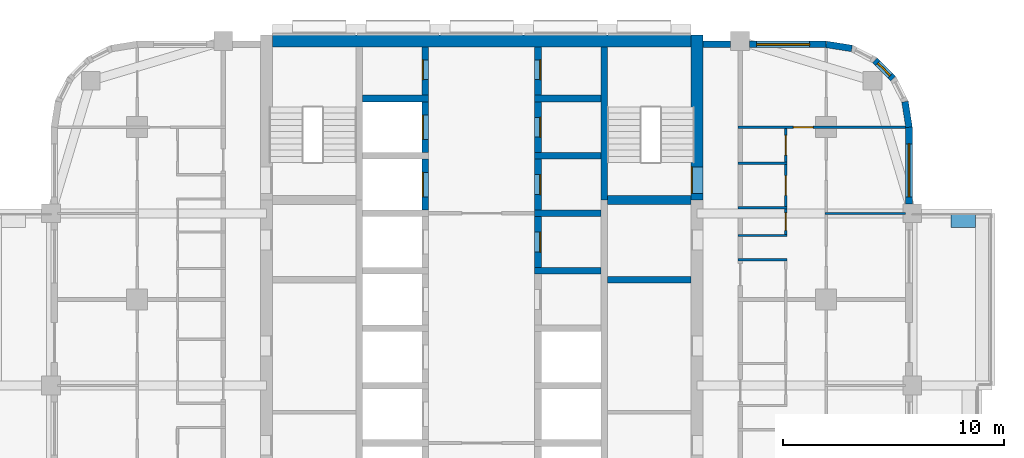
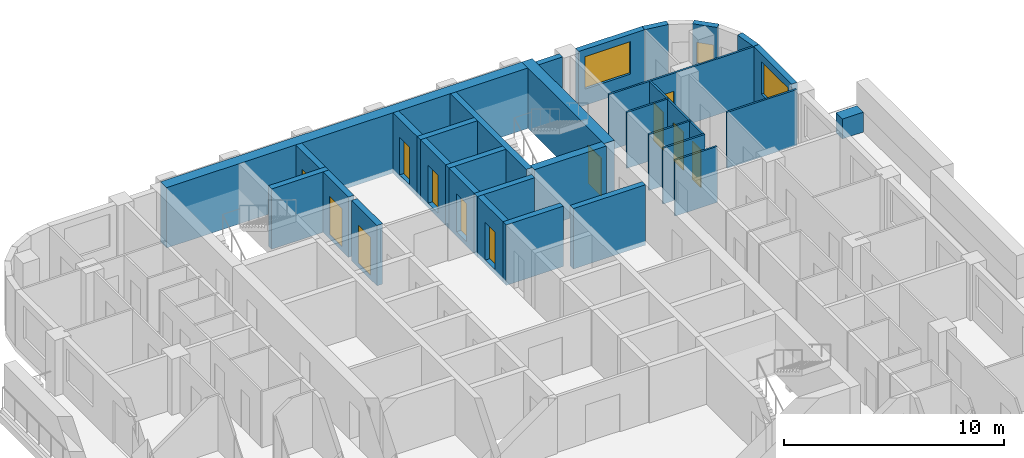
# One storey, part 9 of 14: 31 walls, 12 doors, 3 windows, 15 openings.
"""IFC4 building model written with IfcOpenShell, lengths in metres."""

import ifcopenshell
import ifcopenshell.guid

model = None  # the IFC model being written
_history = None  # IfcOwnerHistory: only IFC2X3 demands one
_inside = {}  # id of a spatial element -> (the spatial element, [elements in it])
_under = {}  # id of a project, library or spatial element -> (it, [spatial elements below it])
_declared = {}  # id of a project -> (the project, [libraries it declares])
_typed = {}  # id of a type object -> (the type object, [elements of that type])
_made_of = {}  # id of a material, layer set ... -> (it, [elements and type objects made of it])


def new_model(schema):
    """Start an empty IFC model of exactly this schema.

    Asked for "IFC4X3", IfcOpenShell would pick the latest addendum, in which some entities
    have other attributes; the version numbers below select the first issue.
    IFC2X3 requires an IfcOwnerHistory on every rooted entity: one is made here for all.
    """
    global model, _history
    if schema == "IFC4X3":
        model = ifcopenshell.file(schema_version=(4, 3, 0, 0))
    else:
        model = ifcopenshell.file(schema=schema)
    _inside.clear()
    _under.clear()
    _declared.clear()
    _typed.clear()
    _made_of.clear()
    _history = None
    if model.schema == "IFC2X3":
        org = make("IfcOrganization", Name="unknown")
        user = make(
            "IfcPersonAndOrganization",
            ThePerson=make("IfcPerson", FamilyName="unknown"),
            TheOrganization=org,
        )
        app = make(
            "IfcApplication",
            ApplicationDeveloper=org,
            Version="unknown",
            ApplicationFullName="unknown",
            ApplicationIdentifier="unknown",
        )
        _history = make(
            "IfcOwnerHistory",
            OwningUser=user,
            OwningApplication=app,
            ChangeAction="ADDED",
            CreationDate=0,
        )
    return model


def make(cls, **values):
    """One entity of the class cls with the attributes given. An attribute that is None is left unset."""
    return model.create_entity(
        cls, **{name: value for name, value in values.items() if value is not None}
    )


def rooted(cls, **values):
    """An entity with a GlobalId (a new one), such as an element, a storey or a relation."""
    return make(cls, GlobalId=ifcopenshell.guid.new(), OwnerHistory=_history, **values)


def si_unit(unit_type, name, prefix=None):
    """IfcSIUnit, for example si_unit("LENGTHUNIT", "METRE", prefix="MILLI")."""
    return make("IfcSIUnit", UnitType=unit_type, Prefix=prefix, Name=name)


def assignment(units):
    """IfcUnitAssignment: the units of a project."""
    return None if units is None else make("IfcUnitAssignment", Units=units)


def point(xyz):
    """IfcCartesianPoint."""
    return None if xyz is None else make("IfcCartesianPoint", Coordinates=xyz)


def direction(xyz):
    """IfcDirection."""
    return None if xyz is None else make("IfcDirection", DirectionRatios=xyz)


def frame(location, z_axis=None, x_axis=None):
    """IfcAxis2Placement3D, a coordinate frame: its origin and axes. An axis left out is left unset."""
    return make(
        "IfcAxis2Placement3D",
        Location=point(location),
        Axis=direction(z_axis),
        RefDirection=direction(x_axis),
    )


def frame_2d(location, x_axis=None):
    """IfcAxis2Placement2D, a coordinate frame in the plane: its origin and x axis."""
    return make(
        "IfcAxis2Placement2D", Location=point(location), RefDirection=direction(x_axis)
    )


def origin():
    """The frame at (0, 0, 0) with its axes left unset."""
    return frame((0.0, 0.0, 0.0))


def place(relative_to, where):
    """IfcLocalPlacement: puts the frame where relative to a parent placement (None: the world)."""
    return make(
        "IfcLocalPlacement", PlacementRelTo=relative_to, RelativePlacement=where
    )


def context(
    kind, dimensions, precision=None, world=None, true_north=None, identifier=None
):
    """IfcGeometricRepresentationContext, for example the 3D "Model" context."""
    return make(
        "IfcGeometricRepresentationContext",
        ContextIdentifier=identifier,
        ContextType=kind,
        CoordinateSpaceDimension=dimensions,
        Precision=precision,
        WorldCoordinateSystem=world,
        TrueNorth=true_north,
    )


def subcontext(parent, identifier, kind, view, scale=None):
    """IfcGeometricRepresentationSubContext, for example "Body" below "Model"."""
    return make(
        "IfcGeometricRepresentationSubContext",
        ContextIdentifier=identifier,
        ContextType=kind,
        ParentContext=parent,
        TargetScale=scale,
        TargetView=view,
    )


def project(units=None, contexts=None):
    """IfcProject with its units and contexts."""
    return rooted(
        "IfcProject",
        Name="project",
        RepresentationContexts=contexts,
        UnitsInContext=assignment(units),
    )


def spatial(cls, under=None, at=None, **own):
    """A site, building, storey or space (cls), placed at a placement, below another one or the project."""
    s = rooted(cls, ObjectPlacement=at, **own)
    if under is not None:
        _under.setdefault(under.id(), (under, []))[1].append(s)
    return s


def profile(cls, at=None, kind="AREA", **sizes):
    """A parametric profile (cls). Its sizes go by their IFC names, for example OverallWidth=200.0."""
    return make(cls, ProfileType=kind, Position=at, **sizes)


def rectangle(**sizes):
    """IfcRectangleProfileDef."""
    return profile("IfcRectangleProfileDef", **sizes)


def extrude(swept, where, along, depth):
    """IfcExtrudedAreaSolid: the profile swept, set in the frame where, extruded along a direction by depth."""
    return make(
        "IfcExtrudedAreaSolid",
        SweptArea=swept,
        Position=where,
        ExtrudedDirection=direction(along),
        Depth=depth,
    )


def shape(context_of_items, identifier, shape_type, items):
    """IfcShapeRepresentation: the items that make up one representation, for example the "Body"."""
    return make(
        "IfcShapeRepresentation",
        ContextOfItems=context_of_items,
        RepresentationIdentifier=identifier,
        RepresentationType=shape_type,
        Items=items,
    )


def material(Name=None, Category=None):
    """IfcMaterial."""
    return make("IfcMaterial", Name=Name, Category=Category)


def layer(
    of_material, thickness, ventilated=None, Name=None, Category=None, Priority=None
):
    """IfcMaterialLayer: one layer of a wall or slab, of a material (None: an air gap)."""
    return make(
        "IfcMaterialLayer",
        Material=of_material,
        LayerThickness=thickness,
        IsVentilated=ventilated,
        Name=Name,
        Category=Category,
        Priority=Priority,
    )


def layer_set(layers, Name=None):
    """IfcMaterialLayerSet."""
    return make("IfcMaterialLayerSet", MaterialLayers=layers, LayerSetName=Name)


def made_of(thing, what):
    """Note that an element or type object is made of a material, layer set ...; save() writes the relation."""
    if what is not None:
        _made_of.setdefault(what.id(), (what, []))[1].append(thing)
    return thing


def type_object(cls, material=None, **own):
    """A type object (cls), such as IfcWallType, which elements share."""
    return made_of(rooted(cls, **own), material)


def element(
    cls,
    number,
    at=None,
    inside=None,
    cuts=None,
    type_object=None,
    material=None,
    context=None,
    identifier="Body",
    shape_type=None,
    held_by="IfcProductDefinitionShape",
    body=None,
    shapes=None,
    **own,
):
    """One element of the class cls, such as IfcWall. Its Tag is "e" and its number.

    at: its placement. inside: the storey or other place that contains it. cuts: it is an
    opening in that element (IfcRelVoidsElement). A single representation is given by context,
    identifier, shape_type and body (its items); several are given by shapes. held_by: the class
    of the entity that holds the representations. save() writes the other relations.
    """
    e = rooted(cls, Tag="e%d" % number, ObjectPlacement=at, **own)
    if body is not None:
        shapes = [shape(context, identifier, shape_type, body)]
    if shapes is not None:
        e.Representation = make(held_by, Representations=shapes)
    if inside is not None:
        _inside.setdefault(inside.id(), (inside, []))[1].append(e)
    if cuts is not None:
        rooted(
            "IfcRelVoidsElement", RelatingBuildingElement=cuts, RelatedOpeningElement=e
        )
    if type_object is not None:
        _typed.setdefault(type_object.id(), (type_object, []))[1].append(e)
    return made_of(e, material)


def fill(opening, filler):
    """IfcRelFillsElement: the door or window that sits in an opening."""
    return rooted(
        "IfcRelFillsElement",
        RelatingOpeningElement=opening,
        RelatedBuildingElement=filler,
    )


def aggregate(whole, parts):
    """IfcRelAggregates: a whole, such as a stair, and the parts it consists of."""
    return rooted("IfcRelAggregates", RelatingObject=whole, RelatedObjects=parts)


def save(model, path):
    """Write the relations noted so far, then the file.

    IfcRelAggregates (storeys below a building ...), IfcRelContainedInSpatialStructure (elements
    in a storey), IfcRelDefinesByType, IfcRelAssociatesMaterial and IfcRelDeclares: one each for
    every whole, place, type object, material and project.
    """
    for whole, parts in _under.values():
        aggregate(whole, parts)
    for where, things in _inside.values():
        rooted(
            "IfcRelContainedInSpatialStructure",
            RelatedElements=things,
            RelatingStructure=where,
        )
    for kind, things in _typed.values():
        rooted("IfcRelDefinesByType", RelatedObjects=things, RelatingType=kind)
    for what, things in _made_of.values():
        rooted("IfcRelAssociatesMaterial", RelatedObjects=things, RelatingMaterial=what)
    for by, libraries in _declared.values():
        rooted("IfcRelDeclares", RelatingContext=by, RelatedDefinitions=libraries)
    model.write(path)


model = new_model("IFC4")

# Units and contexts
model_context = context("Model", 3, precision=1e-05, world=origin(), true_north=direction((0.0, 1.0)))
body_context = subcontext(model_context, "Body", "Model", "MODEL_VIEW")
ifc_project = project(units=[si_unit("LENGTHUNIT", "METRE"), si_unit("AREAUNIT", "SQUARE_METRE"), si_unit("VOLUMEUNIT", "CUBIC_METRE"), si_unit("PLANEANGLEUNIT", "RADIAN"), si_unit("MASSUNIT", "GRAM", prefix="KILO")], contexts=[model_context])

# Site, building, storey
site_placement = place(None, origin())
site = spatial("IfcSite", under=ifc_project, at=site_placement, CompositionType="ELEMENT")
building_placement = place(site_placement, origin())
building = spatial("IfcBuilding", under=site, at=building_placement, Name="Ludao Terraces", CompositionType="ELEMENT")
storey_placement = place(building_placement, frame((0.0, 0.0, 113.5)))
storey = spatial("IfcBuildingStorey", under=building, at=storey_placement, Name="L31", CompositionType="ELEMENT", Elevation=113.5)

# Wall, opening, door
ifc_material_1 = material(Name="Concrete C60", Category="concrete")
ifc_layer_1 = layer(ifc_material_1, 0.550048828125)
ifc_layer_set_1 = layer_set([ifc_layer_1], Name="Core wall 550 C60")
wall_type_1 = type_object("IfcWallType", Name="Core wall 550 C60", PredefinedType="SOLIDWALL", material=ifc_layer_set_1)
wall_1_placement = place(storey_placement, frame((94.75, 77.300048828125, -0.25), z_axis=(0.0, 0.0, 1.0), x_axis=(0.0, 1.0, 0.0)))
wall_1 = element("IfcWall", 1, at=wall_1_placement, inside=storey, type_object=wall_type_1, Name="Core wall L31 outer-E-S2", PredefinedType="SOLIDWALL", context=body_context, shape_type="SweptSolid", body=[
    extrude(rectangle(XDim=7.474853515625, YDim=0.550048828125, at=frame_2d((3.7373046875, 0.0))), origin(), (0.0, 0.0, 1.0), 3.35009765625),
])
opening_1_placement = place(wall_1_placement, frame((0.300048828125, 0.0, 0.25)))
opening_1 = element("IfcOpeningElement", 2, at=opening_1_placement, cuts=wall_1, Name="Opening R09-088", PredefinedType="OPENING", context=body_context, shape_type="SweptSolid", body=[
    extrude(rectangle(XDim=1.199951171875, YDim=2.10009765625, at=frame_2d((0.60009765625, 1.050048828125))), frame((0.0, 0.28515625, 0.0), z_axis=(0.0, -1.0, 0.0), x_axis=(1.0, 0.0, 0.0)), (0.0, 0.0, 1.0), 0.570068359375),
])
ifc_material_2 = material(Name="Steel Q235", Category="steel")
door_type_1 = type_object("IfcDoorType", Name="INT Stair door 1200", OperationType="DOUBLE_DOOR_SINGLE_SWING", PredefinedType="DOOR", material=ifc_material_2)
door_1_placement = place(opening_1_placement, origin())
door_1 = element("IfcDoor", 3, at=door_1_placement, inside=storey, type_object=door_type_1, Name="DOOR 088", OperationType="DOUBLE_DOOR_SINGLE_SWING", OverallHeight=2.10009765625, OverallWidth=1.199951171875, PredefinedType="DOOR", context=body_context, shape_type="SweptSolid", body=[
    extrude(rectangle(XDim=1.199951171875, YDim=2.10009765625, at=frame_2d((0.60009765625, 1.050048828125))), frame((0.0, 0.26025390625, 0.0), z_axis=(0.0, -1.0, 0.0), x_axis=(1.0, 0.0, 0.0)), (0.0, 0.0, 1.0), 0.050048828125),
])
fill(opening_1, door_1)

# Walls
wall_2_placement = place(storey_placement, frame((75.52490234375, 84.5, -0.25), z_axis=(0.0, 0.0, 1.0), x_axis=(1.0, 0.0, 0.0)))
element("IfcWall", 4, at=wall_2_placement, inside=storey, type_object=wall_type_1, Name="Core wall L31 outer-N", PredefinedType="SOLIDWALL", context=body_context, shape_type="SweptSolid", body=[
    extrude(rectangle(XDim=18.9501953125, YDim=0.550048828125, at=frame_2d((9.47509765625, 0.0))), origin(), (0.0, 0.0, 1.0), 3.35009765625),
])
ifc_material_3 = material(Name="Concrete C40", Category="concrete")
ifc_layer_2 = layer(ifc_material_3, 0.60009765625)
ifc_layer_set_2 = layer_set([ifc_layer_2], Name="ENV Planter trough 600")
wall_type_2 = type_object("IfcWallType", Name="ENV Planter trough 600", PredefinedType="USERDEFINED", material=ifc_layer_set_2)
wall_3_placement = place(storey_placement, frame((107.35009765625, 76.35009765625, 0.0), z_axis=(0.0, 0.0, 1.0), x_axis=(-1.0, 0.0, 0.0)))
element("IfcWall", 5, at=wall_3_placement, inside=storey, type_object=wall_type_2, Name="PL-L31-E3-SB", ObjectType="PLANTER", PredefinedType="USERDEFINED", context=body_context, shape_type="SweptSolid", body=[
    extrude(rectangle(XDim=1.10009765625, YDim=0.60009765625, at=frame_2d((0.550048828125, 0.0))), origin(), (0.0, 0.0, 1.0), 1.10009765625),
])

# Wall, opening, window
ifc_material_4 = material(Name="Granite cladding", Category="masonry")
ifc_layer_3 = layer(ifc_material_4, 0.0400390625, Category="stone")
ifc_material_5 = material(Name="Mineral wool")
ifc_layer_4 = layer(ifc_material_5, 0.06005859375)
ifc_layer_5 = layer(ifc_material_3, 0.199951171875, Category="concrete")
ifc_layer_set_3 = layer_set([ifc_layer_3, ifc_layer_4, ifc_layer_5], Name="ENV Stone-clad wall 300")
wall_type_3 = type_object("IfcWallType", Name="ENV Stone-clad wall 300", PredefinedType="SOLIDWALL", material=ifc_layer_set_3)
wall_4_placement = place(storey_placement, frame((104.35009765625, 77.125, 0.0), z_axis=(0.0, 0.0, 1.0), x_axis=(0.0, 1.0, 0.0)))
wall_4 = element("IfcWall", 6, at=wall_4_placement, inside=storey, type_object=wall_type_3, Name="EW-L31-E5", PredefinedType="SOLIDWALL", context=body_context, shape_type="SweptSolid", body=[
    extrude(rectangle(XDim=3.47509765625, YDim=0.300048828125, at=frame_2d((1.737548828125, 0.0))), origin(), (0.0, 0.0, 1.0), 3.10009765625),
])
opening_2_placement = place(wall_4_placement, frame((0.324951171875, 0.0, 0.89990234375)))
opening_2 = element("IfcOpeningElement", 7, at=opening_2_placement, cuts=wall_4, Name="Opening W1", PredefinedType="OPENING", context=body_context, shape_type="SweptSolid", body=[
    extrude(rectangle(XDim=2.39990234375, YDim=1.800048828125, at=frame_2d((1.199951171875, 0.89990234375))), frame((0.0, 0.16015625, 0.0), z_axis=(0.0, -1.0, 0.0), x_axis=(1.0, 0.0, 0.0)), (0.0, 0.0, 1.0), 0.320068359375),
])
ifc_material_6 = material(Name="Clear glass in aluminium frame", Category="aluminium")
ifc_layer_6 = layer(ifc_material_6, 0.06005859375)
ifc_layer_set_4 = layer_set([ifc_layer_6], Name="ENV Window W1 2400x1800")
window_type_1 = type_object("IfcWindowType", Name="ENV Window W1 2400x1800", PartitioningType="DOUBLE_PANEL_VERTICAL", PredefinedType="WINDOW", material=ifc_layer_set_4)
window_1_placement = place(opening_2_placement, origin())
window_1 = element("IfcWindow", 8, at=window_1_placement, inside=storey, type_object=window_type_1, Name="W-L31-E5-1", OverallHeight=1.800048828125, OverallWidth=2.39990234375, PartitioningType="DOUBLE_PANEL_VERTICAL", PredefinedType="WINDOW", context=body_context, shape_type="SweptSolid", body=[
    extrude(rectangle(XDim=2.39990234375, YDim=1.800048828125, at=frame_2d((1.199951171875, 0.89990234375))), frame((0.0, 0.030029296875, 0.0), z_axis=(0.0, -1.0, 0.0), x_axis=(1.0, 0.0, 0.0)), (0.0, 0.0, 1.0), 0.06005859375),
])
fill(opening_2, window_1)

# Wall
wall_5_placement = place(storey_placement, frame((95.02490234375, 84.35009765625, 0.0), z_axis=(0.0, 0.0, 1.0), x_axis=(1.0, 0.0, 0.0)))
element("IfcWall", 9, at=wall_5_placement, inside=storey, type_object=wall_type_3, Name="EW-L31-N3", PredefinedType="SOLIDWALL", context=body_context, shape_type="SweptSolid", body=[
    extrude(rectangle(XDim=1.25, YDim=0.300048828125, at=frame_2d((0.625, 0.0))), origin(), (0.0, 0.0, 1.0), 3.10009765625),
])

# Wall, opening, window
wall_6_placement = place(storey_placement, frame((97.125, 84.35009765625, 0.0), z_axis=(0.0, 0.0, 1.0), x_axis=(1.0, 0.0, 0.0)))
wall_6 = element("IfcWall", 10, at=wall_6_placement, inside=storey, type_object=wall_type_3, Name="EW-L31-N4", PredefinedType="SOLIDWALL", context=body_context, shape_type="SweptSolid", body=[
    extrude(rectangle(XDim=3.47509765625, YDim=0.300048828125, at=frame_2d((1.737548828125, 0.0))), origin(), (0.0, 0.0, 1.0), 3.10009765625),
])
opening_3_placement = place(wall_6_placement, frame((0.324951171875, 0.0, 0.89990234375)))
opening_3 = element("IfcOpeningElement", 11, at=opening_3_placement, cuts=wall_6, Name="Opening W1", PredefinedType="OPENING", context=body_context, shape_type="SweptSolid", body=[
    extrude(rectangle(XDim=2.39990234375, YDim=1.800048828125, at=frame_2d((1.199951171875, 0.89990234375))), frame((0.0, 0.16015625, 0.0), z_axis=(0.0, -1.0, 0.0), x_axis=(1.0, 0.0, 0.0)), (0.0, 0.0, 1.0), 0.320068359375),
])
window_2_placement = place(opening_3_placement, origin())
window_2 = element("IfcWindow", 12, at=window_2_placement, inside=storey, type_object=window_type_1, Name="W-L31-N4-1", OverallHeight=1.800048828125, OverallWidth=2.39990234375, PartitioningType="DOUBLE_PANEL_VERTICAL", PredefinedType="WINDOW", context=body_context, shape_type="SweptSolid", body=[
    extrude(rectangle(XDim=2.39990234375, YDim=1.800048828125, at=frame_2d((1.199951171875, 0.89990234375))), frame((0.0, 0.030029296875, 0.0), z_axis=(0.0, -1.0, 0.0), x_axis=(1.0, 0.0, 0.0)), (0.0, 0.0, 1.0), 0.06005859375),
])
fill(opening_3, window_2)

# Wall
wall_7_placement = place(storey_placement, frame((104.35009765625, 80.60009765625, 0.0), z_axis=(0.0, 0.0, 1.0), x_axis=(-0.156496880861, 0.987678452879, 0.0)))
element("IfcWall", 13, at=wall_7_placement, inside=storey, type_object=wall_type_3, Name="EW-L31-NE1", PredefinedType="SOLIDWALL", context=body_context, shape_type="SweptSolid", body=[
    extrude(rectangle(XDim=1.173095703125, YDim=0.300048828125, at=frame_2d((0.58642578125, 0.0))), origin(), (0.0, 0.0, 1.0), 3.10009765625),
])

# Wall, opening, window
wall_8_placement = place(storey_placement, frame((103.6337890625, 82.80419921875, 0.0), z_axis=(0.0, 0.0, 1.0), x_axis=(-0.707106781187, 0.707106781187, 0.0)))
wall_8 = element("IfcWall", 14, at=wall_8_placement, inside=storey, type_object=wall_type_3, Name="EW-L31-NE3", PredefinedType="SOLIDWALL", context=body_context, shape_type="SweptSolid", body=[
    extrude(rectangle(XDim=1.173095703125, YDim=0.300048828125, at=frame_2d((0.58642578125, 0.0))), origin(), (0.0, 0.0, 1.0), 3.10009765625),
])
opening_4_placement = place(wall_8_placement, frame((0.1865234375, 0.0, 0.89990234375)))
opening_4 = element("IfcOpeningElement", 15, at=opening_4_placement, cuts=wall_8, Name="Opening W3", PredefinedType="OPENING", context=body_context, shape_type="SweptSolid", body=[
    extrude(rectangle(XDim=0.800048828125, YDim=1.199951171875, at=frame_2d((0.39990234375, 0.60009765625))), frame((0.0, 0.16015625, 0.0), z_axis=(0.0, -1.0, 0.0), x_axis=(1.0, 0.0, 0.0)), (0.0, 0.0, 1.0), 0.320068359375),
])
ifc_layer_7 = layer(ifc_material_6, 0.06005859375)
ifc_layer_set_5 = layer_set([ifc_layer_7], Name="ENV Window W3 800x1200")
window_type_2 = type_object("IfcWindowType", Name="ENV Window W3 800x1200", PartitioningType="SINGLE_PANEL", PredefinedType="WINDOW", material=ifc_layer_set_5)
window_3_placement = place(opening_4_placement, origin())
window_3 = element("IfcWindow", 16, at=window_3_placement, inside=storey, type_object=window_type_2, Name="W-L31-NE3", OverallHeight=1.199951171875, OverallWidth=0.800048828125, PartitioningType="SINGLE_PANEL", PredefinedType="WINDOW", context=body_context, shape_type="SweptSolid", body=[
    extrude(rectangle(XDim=0.800048828125, YDim=1.199951171875, at=frame_2d((0.39990234375, 0.60009765625))), frame((0.0, 0.030029296875, 0.0), z_axis=(0.0, -1.0, 0.0), x_axis=(1.0, 0.0, 0.0)), (0.0, 0.0, 1.0), 0.06005859375),
])
fill(opening_4, window_3)

# Walls
wall_9_placement = place(storey_placement, frame((101.7587890625, 84.16650390625, 0.0), z_axis=(0.0, 0.0, 1.0), x_axis=(-0.987678452879, 0.156496880861, 0.0)))
element("IfcWall", 17, at=wall_9_placement, inside=storey, type_object=wall_type_3, Name="EW-L31-NE5", PredefinedType="SOLIDWALL", context=body_context, shape_type="SweptSolid", body=[
    extrude(rectangle(XDim=1.173095703125, YDim=0.300048828125, at=frame_2d((0.58642578125, 0.0))), origin(), (0.0, 0.0, 1.0), 3.10009765625),
])
ifc_material_7 = material(Name="Gypsum plasterboard", Category="gypsum")
ifc_layer_8 = layer(ifc_material_7, 0.012451171875, Category="gypsum")
ifc_layer_9 = layer(ifc_material_5, 0.06005859375, Name="insulation")
ifc_layer_10 = layer(ifc_material_2, 0.014892578125, Name="stud")
ifc_layer_11 = layer(ifc_material_7, 0.012451171875, Category="gypsum")
ifc_layer_set_6 = layer_set([ifc_layer_8, ifc_layer_9, ifc_layer_10, ifc_layer_11], Name="INT Partition 100")
wall_type_4 = type_object("IfcWallType", Name="INT Partition 100", PredefinedType="PARTITIONING", material=ifc_layer_set_6)
for number, where, z_axis, x_axis, name in (
    (18, (96.60009765625, 74.60009765625, 0.0), (0.0, 0.0, 1.0), (1.0, 0.0, 0.0), "PW-L31-PW038"),
    (19, (96.60009765625, 75.699951171875, 0.0), (0.0, 0.0, 1.0), (1.0, 0.0, 0.0), "PW-L31-PW039"),
):
    element("IfcWall", number, at=place(storey_placement, frame(where, z_axis=z_axis, x_axis=x_axis)), inside=storey, type_object=wall_type_4, Name=name, PredefinedType="PARTITIONING", context=body_context, shape_type="SweptSolid", body=[
        extrude(rectangle(XDim=2.219970703125, YDim=0.10009765625, at=frame_2d((1.10986328125, 0.0))), origin(), (0.0, 0.0, 1.0), 3.10009765625),
    ])
wall_10_placement = place(storey_placement, frame((100.550048828125, 76.699951171875, 0.0), z_axis=(0.0, 0.0, 1.0), x_axis=(1.0, 0.0, 0.0)))
element("IfcWall", 20, at=wall_10_placement, inside=storey, type_object=wall_type_4, Name="PW-L31-PW043", PredefinedType="PARTITIONING", context=body_context, shape_type="SweptSolid", body=[
    extrude(rectangle(XDim=3.650146484375, YDim=0.10009765625, at=frame_2d((1.8251953125, 0.0))), origin(), (0.0, 0.0, 1.0), 3.10009765625),
])
for number, where, z_axis, x_axis, name in (
    (21, (96.60009765625, 76.949951171875, 0.0), (0.0, 0.0, 1.0), (1.0, 0.0, 0.0), "PW-L31-PW044"),
    (22, (96.60009765625, 78.969970703125, 0.0), (0.0, 0.0, 1.0), (1.0, 0.0, 0.0), "PW-L31-PW047"),
):
    element("IfcWall", number, at=place(storey_placement, frame(where, z_axis=z_axis, x_axis=x_axis)), inside=storey, type_object=wall_type_4, Name=name, PredefinedType="PARTITIONING", context=body_context, shape_type="SweptSolid", body=[
        extrude(rectangle(XDim=2.219970703125, YDim=0.10009765625, at=frame_2d((1.10986328125, 0.0))), origin(), (0.0, 0.0, 1.0), 3.10009765625),
    ])

# Wall, opening, door
wall_11_placement = place(storey_placement, frame((96.60009765625, 80.60009765625, 0.0), z_axis=(0.0, 0.0, 1.0), x_axis=(1.0, 0.0, 0.0)))
wall_11 = element("IfcWall", 23, at=wall_11_placement, inside=storey, type_object=wall_type_4, Name="PW-L31-PW049", PredefinedType="PARTITIONING", context=body_context, shape_type="SweptSolid", body=[
    extrude(rectangle(XDim=7.60009765625, YDim=0.10009765625, at=frame_2d((3.800048828125, 0.0))), origin(), (0.0, 0.0, 1.0), 3.10009765625),
])
opening_5_placement = place(wall_11_placement, frame((2.510009765625, 0.0, 0.0)))
opening_5 = element("IfcOpeningElement", 24, at=opening_5_placement, cuts=wall_11, Name="Opening R09-097", PredefinedType="OPENING", context=body_context, shape_type="SweptSolid", body=[
    extrude(rectangle(XDim=0.89990234375, YDim=2.10009765625, at=frame_2d((0.449951171875, 1.050048828125))), frame((0.0, 0.06005859375, 0.0), z_axis=(0.0, -1.0, 0.0), x_axis=(1.0, 0.0, 0.0)), (0.0, 0.0, 1.0), 0.1201171875),
])
ifc_material_8 = material(Name="Timber door leaf", Category="wood")
door_type_2 = type_object("IfcDoorType", Name="INT Room door 900", OperationType="SINGLE_SWING_LEFT", PredefinedType="DOOR", material=ifc_material_8)
door_2_placement = place(opening_5_placement, origin())
door_2 = element("IfcDoor", 25, at=door_2_placement, inside=storey, type_object=door_type_2, Name="DOOR 097", OperationType="SINGLE_SWING_RIGHT", OverallHeight=2.10009765625, OverallWidth=0.89990234375, PredefinedType="DOOR", context=body_context, shape_type="SweptSolid", body=[
    extrude(rectangle(XDim=0.89990234375, YDim=2.10009765625, at=frame_2d((0.449951171875, 1.050048828125))), frame((0.0, 0.02490234375, 0.0), z_axis=(0.0, -1.0, 0.0), x_axis=(1.0, 0.0, 0.0)), (0.0, 0.0, 1.0), 0.050048828125),
])
fill(opening_5, door_2)

# Wall, openings, doors
wall_12_placement = place(storey_placement, frame((98.77001953125, 75.75, 0.0), z_axis=(0.0, 0.0, 1.0), x_axis=(0.0, 1.0, 0.0)))
wall_12 = element("IfcWall", 26, at=wall_12_placement, inside=storey, type_object=wall_type_4, Name="PW-L31-PW076", PredefinedType="PARTITIONING", context=body_context, shape_type="SweptSolid", body=[
    extrude(rectangle(XDim=4.800048828125, YDim=0.10009765625, at=frame_2d((2.39990234375, 0.0))), origin(), (0.0, 0.0, 1.0), 3.10009765625),
])
opening_6_placement = place(wall_12_placement, frame((0.175048828125, 0.0, 0.0)))
opening_6 = element("IfcOpeningElement", 27, at=opening_6_placement, cuts=wall_12, Name="Opening R09-081", PredefinedType="OPENING", context=body_context, shape_type="SweptSolid", body=[
    extrude(rectangle(XDim=0.800048828125, YDim=2.10009765625, at=frame_2d((0.39990234375, 1.050048828125))), frame((0.0, 0.06005859375, 0.0), z_axis=(0.0, -1.0, 0.0), x_axis=(1.0, 0.0, 0.0)), (0.0, 0.0, 1.0), 0.1201171875),
])
opening_7_placement = place(wall_12_placement, frame((1.760009765625, 0.0, 0.0)))
opening_7 = element("IfcOpeningElement", 28, at=opening_7_placement, cuts=wall_12, Name="Opening R09-084", PredefinedType="OPENING", context=body_context, shape_type="SweptSolid", body=[
    extrude(rectangle(XDim=0.89990234375, YDim=2.10009765625, at=frame_2d((0.449951171875, 1.050048828125))), frame((0.0, 0.06005859375, 0.0), z_axis=(0.0, -1.0, 0.0), x_axis=(1.0, 0.0, 0.0)), (0.0, 0.0, 1.0), 0.1201171875),
])
opening_8_placement = place(wall_12_placement, frame((3.585205078125, 0.0, 0.0)))
opening_8 = element("IfcOpeningElement", 29, at=opening_8_placement, cuts=wall_12, Name="Opening R09-093", PredefinedType="OPENING", context=body_context, shape_type="SweptSolid", body=[
    extrude(rectangle(XDim=0.89990234375, YDim=2.10009765625, at=frame_2d((0.449951171875, 1.050048828125))), frame((0.0, 0.06005859375, 0.0), z_axis=(0.0, -1.0, 0.0), x_axis=(1.0, 0.0, 0.0)), (0.0, 0.0, 1.0), 0.1201171875),
])
door_type_3 = type_object("IfcDoorType", Name="INT Bathroom door 900", OperationType="SINGLE_SWING_LEFT", PredefinedType="DOOR", material=ifc_material_8)
door_3_placement = place(opening_8_placement, origin())
door_3 = element("IfcDoor", 30, at=door_3_placement, inside=storey, type_object=door_type_3, Name="DOOR 093", OperationType="SINGLE_SWING_LEFT", OverallHeight=2.10009765625, OverallWidth=0.89990234375, PredefinedType="DOOR", context=body_context, shape_type="SweptSolid", body=[
    extrude(rectangle(XDim=0.89990234375, YDim=2.10009765625, at=frame_2d((0.449951171875, 1.050048828125))), frame((0.0, 0.02490234375, 0.0), z_axis=(0.0, -1.0, 0.0), x_axis=(1.0, 0.0, 0.0)), (0.0, 0.0, 1.0), 0.050048828125),
])
fill(opening_8, door_3)
door_4_placement = place(opening_7_placement, origin())
door_4 = element("IfcDoor", 31, at=door_4_placement, inside=storey, type_object=door_type_2, Name="DOOR 084", OperationType="SINGLE_SWING_LEFT", OverallHeight=2.10009765625, OverallWidth=0.89990234375, PredefinedType="DOOR", context=body_context, shape_type="SweptSolid", body=[
    extrude(rectangle(XDim=0.89990234375, YDim=2.10009765625, at=frame_2d((0.449951171875, 1.050048828125))), frame((0.0, 0.02490234375, 0.0), z_axis=(0.0, -1.0, 0.0), x_axis=(1.0, 0.0, 0.0)), (0.0, 0.0, 1.0), 0.050048828125),
])
fill(opening_7, door_4)
door_type_4 = type_object("IfcDoorType", Name="INT Store door 800", OperationType="SINGLE_SWING_LEFT", PredefinedType="DOOR", material=ifc_material_8)
door_5_placement = place(opening_6_placement, origin())
door_5 = element("IfcDoor", 32, at=door_5_placement, inside=storey, type_object=door_type_4, Name="DOOR 081", OperationType="SINGLE_SWING_LEFT", OverallHeight=2.10009765625, OverallWidth=0.800048828125, PredefinedType="DOOR", context=body_context, shape_type="SweptSolid", body=[
    extrude(rectangle(XDim=0.800048828125, YDim=2.10009765625, at=frame_2d((0.39990234375, 1.050048828125))), frame((0.0, 0.02490234375, 0.0), z_axis=(0.0, -1.0, 0.0), x_axis=(1.0, 0.0, 0.0)), (0.0, 0.0, 1.0), 0.050048828125),
])
fill(opening_6, door_5)

# Wall
ifc_material_9 = material(Name="Concrete C55", Category="concrete")
ifc_layer_12 = layer(ifc_material_9, 0.300048828125)
ifc_layer_set_7 = layer_set([ifc_layer_12], Name="Shaft wall 300 C55")
wall_type_5 = type_object("IfcWallType", Name="Shaft wall 300 C55", PredefinedType="SOLIDWALL", material=ifc_layer_set_7)
wall_13_placement = place(storey_placement, frame((90.550048828125, 77.300048828125, -0.25), z_axis=(0.0, 0.0, 1.0), x_axis=(0.0, 1.0, 0.0)))
element("IfcWall", 33, at=wall_13_placement, inside=storey, type_object=wall_type_5, Name="Core wall L31 back-E-S2", PredefinedType="SOLIDWALL", context=body_context, shape_type="SweptSolid", body=[
    extrude(rectangle(XDim=6.925048828125, YDim=0.300048828125, at=frame_2d((3.46240234375, 0.0))), origin(), (0.0, 0.0, 1.0), 3.35009765625),
])

# Wall, opening, door
wall_14_placement = place(storey_placement, frame((82.449951171875, 76.85009765625, -0.25), z_axis=(0.0, 0.0, 1.0), x_axis=(0.0, 1.0, 0.0)))
wall_14 = element("IfcWall", 34, at=wall_14_placement, inside=storey, type_object=wall_type_5, Name="Core wall L31 front-W7", PredefinedType="SOLIDWALL", context=body_context, shape_type="SweptSolid", body=[
    extrude(rectangle(XDim=2.2998046875, YDim=0.300048828125, at=frame_2d((1.14990234375, 0.0))), origin(), (0.0, 0.0, 1.0), 3.35009765625),
])
opening_9_placement = place(wall_14_placement, frame((0.60009765625, 0.0, 0.25)))
opening_9 = element("IfcOpeningElement", 35, at=opening_9_placement, cuts=wall_14, Name="Opening LD-FF1", PredefinedType="OPENING", context=body_context, shape_type="SweptSolid", body=[
    extrude(rectangle(XDim=1.10009765625, YDim=2.10009765625, at=frame_2d((0.550048828125, 1.050048828125))), frame((0.0, 0.16015625, 0.0), z_axis=(0.0, -1.0, 0.0), x_axis=(1.0, 0.0, 0.0)), (0.0, 0.0, 1.0), 0.320068359375),
])
ifc_material_10 = material(Name="Stainless steel 304", Category="steel")
door_type_5 = type_object("IfcDoorType", Name="INT Lift landing door 1100", OperationType="SLIDING_TO_LEFT", PredefinedType="DOOR", material=ifc_material_10)
door_6_placement = place(opening_9_placement, origin())
door_6 = element("IfcDoor", 36, at=door_6_placement, inside=storey, type_object=door_type_5, Name="LANDING DOOR FF1 L31", OperationType="SLIDING_TO_LEFT", OverallHeight=2.10009765625, OverallWidth=1.10009765625, PredefinedType="DOOR", context=body_context, shape_type="SweptSolid", body=[
    extrude(rectangle(XDim=1.10009765625, YDim=2.10009765625, at=frame_2d((0.550048828125, 1.050048828125))), frame((0.0, 0.13525390625, 0.0), z_axis=(0.0, -1.0, 0.0), x_axis=(1.0, 0.0, 0.0)), (0.0, 0.0, 1.0), 0.050048828125),
])
fill(opening_9, door_6)

wall_15_placement = place(storey_placement, frame((82.449951171875, 79.449951171875, -0.25), z_axis=(0.0, 0.0, 1.0), x_axis=(0.0, 1.0, 0.0)))
wall_15 = element("IfcWall", 37, at=wall_15_placement, inside=storey, type_object=wall_type_5, Name="Core wall L31 front-W8", PredefinedType="SOLIDWALL", context=body_context, shape_type="SweptSolid", body=[
    extrude(rectangle(XDim=2.300048828125, YDim=0.300048828125, at=frame_2d((1.14990234375, 0.0))), origin(), (0.0, 0.0, 1.0), 3.35009765625),
])
opening_10_placement = place(wall_15_placement, frame((0.60009765625, 0.0, 0.25)))
opening_10 = element("IfcOpeningElement", 38, at=opening_10_placement, cuts=wall_15, Name="Opening LD-FF2", PredefinedType="OPENING", context=body_context, shape_type="SweptSolid", body=[
    extrude(rectangle(XDim=1.10009765625, YDim=2.10009765625, at=frame_2d((0.550048828125, 1.050048828125))), frame((0.0, 0.16015625, 0.0), z_axis=(0.0, -1.0, 0.0), x_axis=(1.0, 0.0, 0.0)), (0.0, 0.0, 1.0), 0.320068359375),
])
door_7_placement = place(opening_10_placement, origin())
door_7 = element("IfcDoor", 39, at=door_7_placement, inside=storey, type_object=door_type_5, Name="LANDING DOOR FF2 L31", OperationType="SLIDING_TO_LEFT", OverallHeight=2.10009765625, OverallWidth=1.10009765625, PredefinedType="DOOR", context=body_context, shape_type="SweptSolid", body=[
    extrude(rectangle(XDim=1.10009765625, YDim=2.10009765625, at=frame_2d((0.550048828125, 1.050048828125))), frame((0.0, 0.13525390625, 0.0), z_axis=(0.0, -1.0, 0.0), x_axis=(1.0, 0.0, 0.0)), (0.0, 0.0, 1.0), 0.050048828125),
])
fill(opening_10, door_7)

# Wall
wall_16_placement = place(storey_placement, frame((79.60009765625, 81.89990234375, -0.25), z_axis=(0.0, 0.0, 1.0), x_axis=(1.0, 0.0, 0.0)))
element("IfcWall", 40, at=wall_16_placement, inside=storey, type_object=wall_type_5, Name="Core wall L31 div-W9", PredefinedType="SOLIDWALL", context=body_context, shape_type="SweptSolid", body=[
    extrude(rectangle(XDim=3.0, YDim=0.300048828125, at=frame_2d((1.5, 0.0))), origin(), (0.0, 0.0, 1.0), 3.35009765625),
])

# Wall, opening, door
wall_17_placement = place(storey_placement, frame((82.449951171875, 82.050048828125, -0.25), z_axis=(0.0, 0.0, 1.0), x_axis=(0.0, 1.0, 0.0)))
wall_17 = element("IfcWall", 41, at=wall_17_placement, inside=storey, type_object=wall_type_5, Name="Core wall L31 front-W9", PredefinedType="SOLIDWALL", context=body_context, shape_type="SweptSolid", body=[
    extrude(rectangle(XDim=2.175048828125, YDim=0.300048828125, at=frame_2d((1.08740234375, 0.0))), origin(), (0.0, 0.0, 1.0), 3.35009765625),
])
opening_11_placement = place(wall_17_placement, frame((0.699951171875, 0.0, 0.25)))
opening_11 = element("IfcOpeningElement", 42, at=opening_11_placement, cuts=wall_17, Name="Opening R09-100", PredefinedType="OPENING", context=body_context, shape_type="SweptSolid", body=[
    extrude(rectangle(XDim=0.89990234375, YDim=2.10009765625, at=frame_2d((0.449951171875, 1.050048828125))), frame((0.0, 0.16015625, 0.0), z_axis=(0.0, -1.0, 0.0), x_axis=(1.0, 0.0, 0.0)), (0.0, 0.0, 1.0), 0.320068359375),
])
door_8_placement = place(opening_11_placement, origin())
door_8 = element("IfcDoor", 43, at=door_8_placement, inside=storey, type_object=door_type_2, Name="DOOR 100", OperationType="SINGLE_SWING_RIGHT", OverallHeight=2.10009765625, OverallWidth=0.89990234375, PredefinedType="DOOR", context=body_context, shape_type="SweptSolid", body=[
    extrude(rectangle(XDim=0.89990234375, YDim=2.10009765625, at=frame_2d((0.449951171875, 1.050048828125))), frame((0.0, 0.13525390625, 0.0), z_axis=(0.0, -1.0, 0.0), x_axis=(1.0, 0.0, 0.0)), (0.0, 0.0, 1.0), 0.050048828125),
])
fill(opening_11, door_8)

# Wall
wall_18_placement = place(storey_placement, frame((87.39990234375, 74.10009765625, -0.25), z_axis=(0.0, 0.0, 1.0), x_axis=(1.0, 0.0, 0.0)))
element("IfcWall", 44, at=wall_18_placement, inside=storey, type_object=wall_type_5, Name="Core wall L31 div-E6", PredefinedType="SOLIDWALL", context=body_context, shape_type="SweptSolid", body=[
    extrude(rectangle(XDim=3.0, YDim=0.300048828125, at=frame_2d((1.5, 0.0))), origin(), (0.0, 0.0, 1.0), 3.35009765625),
])

# Wall, opening, door
wall_19_placement = place(storey_placement, frame((87.550048828125, 74.25, -0.25), z_axis=(0.0, 0.0, 1.0), x_axis=(0.0, 1.0, 0.0)))
wall_19 = element("IfcWall", 45, at=wall_19_placement, inside=storey, type_object=wall_type_5, Name="Core wall L31 front-E6", PredefinedType="SOLIDWALL", context=body_context, shape_type="SweptSolid", body=[
    extrude(rectangle(XDim=2.300048828125, YDim=0.300048828125, at=frame_2d((1.14990234375, 0.0))), origin(), (0.0, 0.0, 1.0), 3.35009765625),
])
opening_12_placement = place(wall_19_placement, frame((0.699951171875, 0.0, 0.25)))
opening_12 = element("IfcOpeningElement", 46, at=opening_12_placement, cuts=wall_19, Name="Opening R09-078", PredefinedType="OPENING", context=body_context, shape_type="SweptSolid", body=[
    extrude(rectangle(XDim=0.89990234375, YDim=2.10009765625, at=frame_2d((0.449951171875, 1.050048828125))), frame((0.0, 0.16015625, 0.0), z_axis=(0.0, -1.0, 0.0), x_axis=(1.0, 0.0, 0.0)), (0.0, 0.0, 1.0), 0.320068359375),
])
door_9_placement = place(opening_12_placement, origin())
door_9 = element("IfcDoor", 47, at=door_9_placement, inside=storey, type_object=door_type_2, Name="DOOR 078", OperationType="SINGLE_SWING_LEFT", OverallHeight=2.10009765625, OverallWidth=0.89990234375, PredefinedType="DOOR", context=body_context, shape_type="SweptSolid", body=[
    extrude(rectangle(XDim=0.89990234375, YDim=2.10009765625, at=frame_2d((0.449951171875, 1.050048828125))), frame((0.0, -0.0849609375, 0.0), z_axis=(0.0, -1.0, 0.0), x_axis=(1.0, 0.0, 0.0)), (0.0, 0.0, 1.0), 0.050048828125),
])
fill(opening_12, door_9)

# Wall
wall_20_placement = place(storey_placement, frame((87.39990234375, 76.699951171875, -0.25), z_axis=(0.0, 0.0, 1.0), x_axis=(1.0, 0.0, 0.0)))
element("IfcWall", 48, at=wall_20_placement, inside=storey, type_object=wall_type_5, Name="Core wall L31 div-E7", PredefinedType="SOLIDWALL", context=body_context, shape_type="SweptSolid", body=[
    extrude(rectangle(XDim=3.0, YDim=0.300048828125, at=frame_2d((1.5, 0.0))), origin(), (0.0, 0.0, 1.0), 3.35009765625),
])

# Wall, opening, door
wall_21_placement = place(storey_placement, frame((87.550048828125, 76.85009765625, -0.25), z_axis=(0.0, 0.0, 1.0), x_axis=(0.0, 1.0, 0.0)))
wall_21 = element("IfcWall", 49, at=wall_21_placement, inside=storey, type_object=wall_type_5, Name="Core wall L31 front-E7", PredefinedType="SOLIDWALL", context=body_context, shape_type="SweptSolid", body=[
    extrude(rectangle(XDim=2.2998046875, YDim=0.300048828125, at=frame_2d((1.14990234375, 0.0))), origin(), (0.0, 0.0, 1.0), 3.35009765625),
])
opening_13_placement = place(wall_21_placement, frame((0.699951171875, 0.0, 0.25)))
opening_13 = element("IfcOpeningElement", 50, at=opening_13_placement, cuts=wall_21, Name="Opening R09-086", PredefinedType="OPENING", context=body_context, shape_type="SweptSolid", body=[
    extrude(rectangle(XDim=0.89990234375, YDim=2.10009765625, at=frame_2d((0.449951171875, 1.050048828125))), frame((0.0, 0.16015625, 0.0), z_axis=(0.0, -1.0, 0.0), x_axis=(1.0, 0.0, 0.0)), (0.0, 0.0, 1.0), 0.320068359375),
])
door_10_placement = place(opening_13_placement, origin())
door_10 = element("IfcDoor", 51, at=door_10_placement, inside=storey, type_object=door_type_2, Name="DOOR 086", OperationType="SINGLE_SWING_RIGHT", OverallHeight=2.10009765625, OverallWidth=0.89990234375, PredefinedType="DOOR", context=body_context, shape_type="SweptSolid", body=[
    extrude(rectangle(XDim=0.89990234375, YDim=2.10009765625, at=frame_2d((0.449951171875, 1.050048828125))), frame((0.0, -0.0849609375, 0.0), z_axis=(0.0, -1.0, 0.0), x_axis=(1.0, 0.0, 0.0)), (0.0, 0.0, 1.0), 0.050048828125),
])
fill(opening_13, door_10)

# Wall
wall_22_placement = place(storey_placement, frame((87.39990234375, 79.300048828125, -0.25), z_axis=(0.0, 0.0, 1.0), x_axis=(1.0, 0.0, 0.0)))
element("IfcWall", 52, at=wall_22_placement, inside=storey, type_object=wall_type_5, Name="Core wall L31 div-E8", PredefinedType="SOLIDWALL", context=body_context, shape_type="SweptSolid", body=[
    extrude(rectangle(XDim=3.0, YDim=0.300048828125, at=frame_2d((1.5, 0.0))), origin(), (0.0, 0.0, 1.0), 3.35009765625),
])

# Wall, opening, door
wall_23_placement = place(storey_placement, frame((87.550048828125, 79.449951171875, -0.25), z_axis=(0.0, 0.0, 1.0), x_axis=(0.0, 1.0, 0.0)))
wall_23 = element("IfcWall", 53, at=wall_23_placement, inside=storey, type_object=wall_type_5, Name="Core wall L31 front-E8", PredefinedType="SOLIDWALL", context=body_context, shape_type="SweptSolid", body=[
    extrude(rectangle(XDim=2.300048828125, YDim=0.300048828125, at=frame_2d((1.14990234375, 0.0))), origin(), (0.0, 0.0, 1.0), 3.35009765625),
])
opening_14_placement = place(wall_23_placement, frame((0.699951171875, 0.0, 0.25)))
opening_14 = element("IfcOpeningElement", 54, at=opening_14_placement, cuts=wall_23, Name="Opening R09-096", PredefinedType="OPENING", context=body_context, shape_type="SweptSolid", body=[
    extrude(rectangle(XDim=0.89990234375, YDim=2.10009765625, at=frame_2d((0.449951171875, 1.050048828125))), frame((0.0, 0.16015625, 0.0), z_axis=(0.0, -1.0, 0.0), x_axis=(1.0, 0.0, 0.0)), (0.0, 0.0, 1.0), 0.320068359375),
])
door_11_placement = place(opening_14_placement, origin())
door_11 = element("IfcDoor", 55, at=door_11_placement, inside=storey, type_object=door_type_2, Name="DOOR 096", OperationType="SINGLE_SWING_RIGHT", OverallHeight=2.10009765625, OverallWidth=0.89990234375, PredefinedType="DOOR", context=body_context, shape_type="SweptSolid", body=[
    extrude(rectangle(XDim=0.89990234375, YDim=2.10009765625, at=frame_2d((0.449951171875, 1.050048828125))), frame((0.0, -0.0849609375, 0.0), z_axis=(0.0, -1.0, 0.0), x_axis=(1.0, 0.0, 0.0)), (0.0, 0.0, 1.0), 0.050048828125),
])
fill(opening_14, door_11)

# Wall
wall_24_placement = place(storey_placement, frame((87.39990234375, 81.89990234375, -0.25), z_axis=(0.0, 0.0, 1.0), x_axis=(1.0, 0.0, 0.0)))
element("IfcWall", 56, at=wall_24_placement, inside=storey, type_object=wall_type_5, Name="Core wall L31 div-E9", PredefinedType="SOLIDWALL", context=body_context, shape_type="SweptSolid", body=[
    extrude(rectangle(XDim=3.0, YDim=0.300048828125, at=frame_2d((1.5, 0.0))), origin(), (0.0, 0.0, 1.0), 3.35009765625),
])

# Wall, opening, door
wall_25_placement = place(storey_placement, frame((87.550048828125, 82.050048828125, -0.25), z_axis=(0.0, 0.0, 1.0), x_axis=(0.0, 1.0, 0.0)))
wall_25 = element("IfcWall", 57, at=wall_25_placement, inside=storey, type_object=wall_type_5, Name="Core wall L31 front-E9", PredefinedType="SOLIDWALL", context=body_context, shape_type="SweptSolid", body=[
    extrude(rectangle(XDim=2.175048828125, YDim=0.300048828125, at=frame_2d((1.08740234375, 0.0))), origin(), (0.0, 0.0, 1.0), 3.35009765625),
])
opening_15_placement = place(wall_25_placement, frame((0.699951171875, 0.0, 0.25)))
opening_15 = element("IfcOpeningElement", 58, at=opening_15_placement, cuts=wall_25, Name="Opening R09-101", PredefinedType="OPENING", context=body_context, shape_type="SweptSolid", body=[
    extrude(rectangle(XDim=0.89990234375, YDim=2.10009765625, at=frame_2d((0.449951171875, 1.050048828125))), frame((0.0, 0.16015625, 0.0), z_axis=(0.0, -1.0, 0.0), x_axis=(1.0, 0.0, 0.0)), (0.0, 0.0, 1.0), 0.320068359375),
])
door_12_placement = place(opening_15_placement, origin())
door_12 = element("IfcDoor", 59, at=door_12_placement, inside=storey, type_object=door_type_2, Name="DOOR 101", OperationType="SINGLE_SWING_LEFT", OverallHeight=2.10009765625, OverallWidth=0.89990234375, PredefinedType="DOOR", context=body_context, shape_type="SweptSolid", body=[
    extrude(rectangle(XDim=0.89990234375, YDim=2.10009765625, at=frame_2d((0.449951171875, 1.050048828125))), frame((0.0, -0.0849609375, 0.0), z_axis=(0.0, -1.0, 0.0), x_axis=(1.0, 0.0, 0.0)), (0.0, 0.0, 1.0), 0.050048828125),
])
fill(opening_15, door_12)

# Walls
wall_26_placement = place(storey_placement, frame((90.699951171875, 73.699951171875, -0.25), z_axis=(0.0, 0.0, 1.0), x_axis=(1.0, 0.0, 0.0)))
element("IfcWall", 60, at=wall_26_placement, inside=storey, type_object=wall_type_5, Name="Core wall L31 riser-b-E", PredefinedType="SOLIDWALL", context=body_context, shape_type="SweptSolid", body=[
    extrude(rectangle(XDim=3.775146484375, YDim=0.300048828125, at=frame_2d((1.8876953125, 0.0))), origin(), (0.0, 0.0, 1.0), 3.35009765625),
])
ifc_layer_13 = layer(ifc_material_9, 0.39990234375)
ifc_layer_set_8 = layer_set([ifc_layer_13], Name="Shaft wall 400 C55")
wall_type_6 = type_object("IfcWallType", Name="Shaft wall 400 C55", PredefinedType="SOLIDWALL", material=ifc_layer_set_8)
wall_27_placement = place(storey_placement, frame((90.699951171875, 77.300048828125, -0.25), z_axis=(0.0, 0.0, 1.0), x_axis=(1.0, 0.0, 0.0)))
element("IfcWall", 61, at=wall_27_placement, inside=storey, type_object=wall_type_6, Name="Core wall L31 stair-E", PredefinedType="SOLIDWALL", context=body_context, shape_type="SweptSolid", body=[
    extrude(rectangle(XDim=3.775146484375, YDim=0.39990234375, at=frame_2d((1.8876953125, 0.0))), origin(), (0.0, 0.0, 1.0), 3.35009765625),
])

save(model, "model.ifc")
